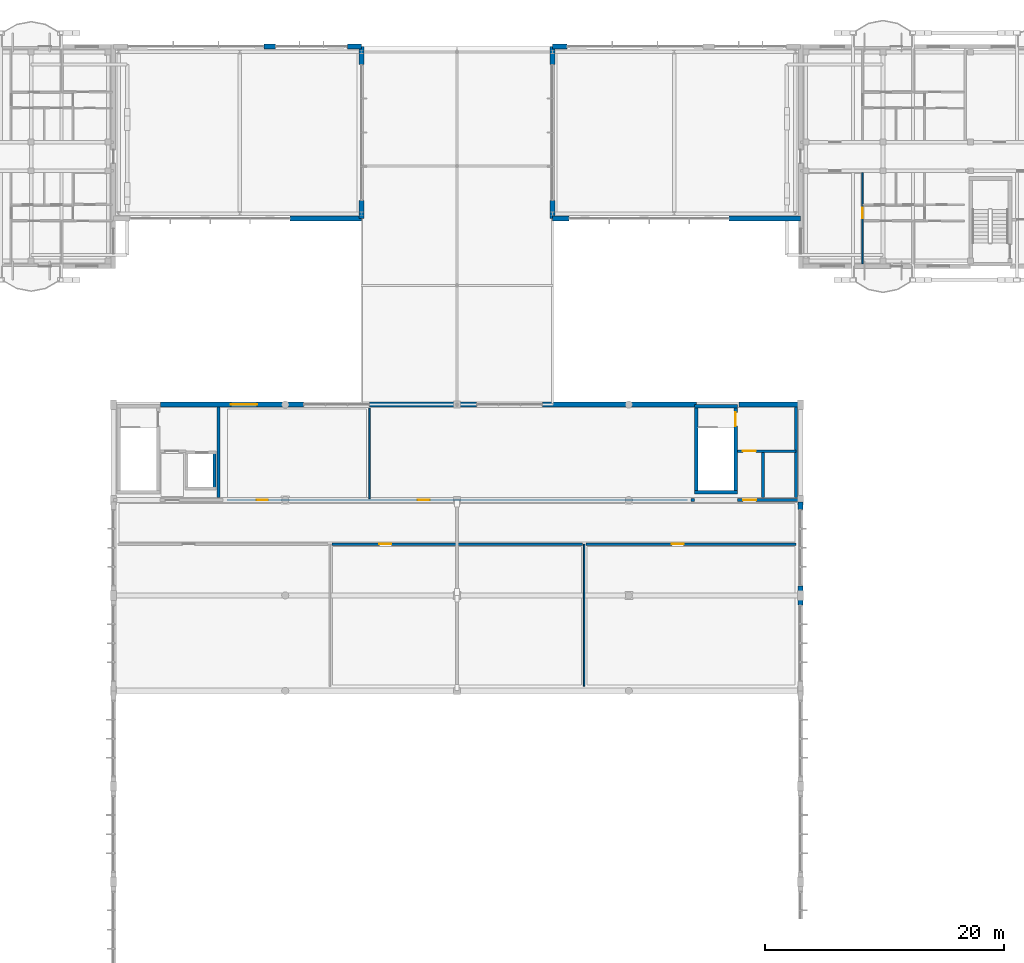
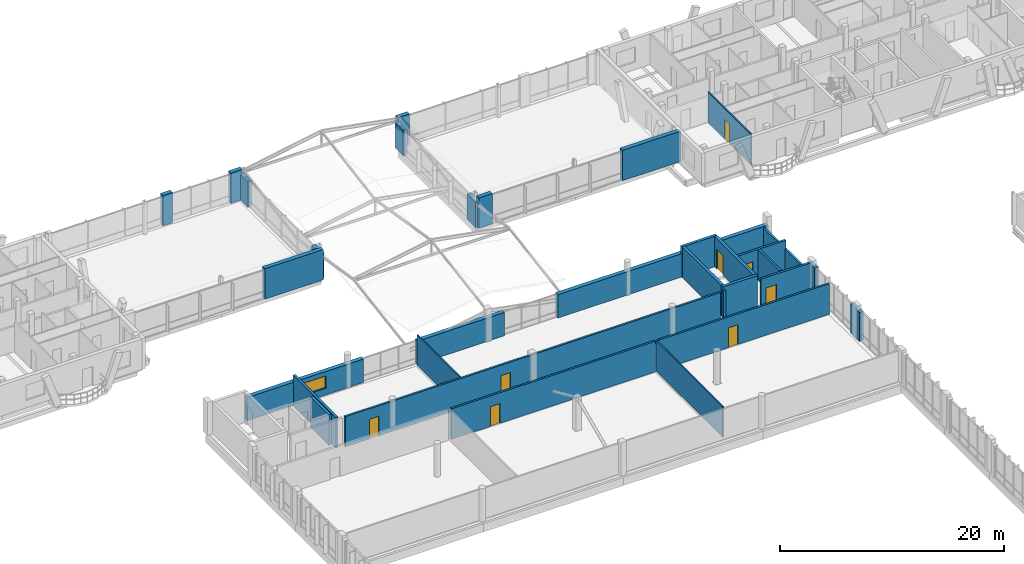
# One storey, part 156 of 189: 33 walls, 8 doors, 1 window, 9 openings.
"""IFC4 building model written with IfcOpenShell, lengths in metres."""

from ifc_helpers import new_model, si_unit, direction, frame, frame_2d, origin, origin_with_axes, place, context, subcontext, project, spatial, rectangle, extrude, material, layer, layer_set, type_object, element, fill, save


model = new_model("IFC4")

# Units and contexts
model_context = context("Model", 3, precision=1e-05, world=origin(), true_north=direction((0.0, 1.0)))
body_context = subcontext(model_context, "Body", "Model", "MODEL_VIEW")
ifc_project = project(units=[si_unit("LENGTHUNIT", "METRE"), si_unit("AREAUNIT", "SQUARE_METRE"), si_unit("VOLUMEUNIT", "CUBIC_METRE"), si_unit("PLANEANGLEUNIT", "RADIAN"), si_unit("MASSUNIT", "GRAM", prefix="KILO")], contexts=[model_context])

# Site, building, storey
site_placement = place(None, origin())
site = spatial("IfcSite", under=ifc_project, at=site_placement, CompositionType="ELEMENT")
building_placement = place(site_placement, origin())
building = spatial("IfcBuilding", under=site, at=building_placement, Name="Zavelmont Quarter", CompositionType="ELEMENT")
storey_placement = place(building_placement, frame((0.0, 0.0, 4.39990234375)))
storey = spatial("IfcBuildingStorey", under=building, at=storey_placement, Name="L01", CompositionType="ELEMENT", Elevation=4.39990234375)

# Walls
ifc_material_1 = material(Name="Natural Belgian limestone", Category="masonry")
ifc_layer_1 = layer(ifc_material_1, 0.419921875)
ifc_layer_set_1 = layer_set([ifc_layer_1], Name="Natural Belgian limestone")
wall_type_1 = type_object("IfcWallType", Name="EW04", PredefinedType="STANDARD", material=ifc_layer_set_1)
wall_1_placement = place(storey_placement, frame((112.800048828125, 69.199951171875, 0.0), z_axis=(0.0, 0.0, 1.0), x_axis=(0.0, 1.0, 0.0)))
element("IfcWall", 1, at=wall_1_placement, inside=storey, type_object=wall_type_1, Name="L01 exterior limestone wall EW04", PredefinedType="STANDARD", context=body_context, shape_type="SweptSolid", body=[
    extrude(rectangle(XDim=1.60009765625, YDim=0.419921875, at=frame_2d((0.800048828125, 0.0))), origin(), (0.0, 0.0, 1.0), 3.14501953125),
])
wall_2_placement = place(storey_placement, frame((112.800048828125, 77.199951171875, 0.0), z_axis=(0.0, 0.0, 1.0), x_axis=(0.0, 1.0, 0.0)))
element("IfcWall", 2, at=wall_2_placement, inside=storey, type_object=wall_type_1, Name="L01 exterior limestone wall EW04", PredefinedType="STANDARD", context=body_context, shape_type="SweptSolid", body=[
    extrude(rectangle(XDim=0.650146484375, YDim=0.419921875, at=frame_2d((0.3251953125, 0.0))), origin(), (0.0, 0.0, 1.0), 3.14501953125),
])

# Wall, opening, window
wall_3_placement = place(storey_placement, frame((59.14990234375, 86.0, 0.0), z_axis=(0.0, 0.0, 1.0), x_axis=(1.0, 0.0, 0.0)))
wall_3 = element("IfcWall", 3, at=wall_3_placement, inside=storey, type_object=wall_type_1, Name="L01 exterior limestone wall EW04", PredefinedType="STANDARD", context=body_context, shape_type="SweptSolid", body=[
    extrude(rectangle(XDim=12.0, YDim=0.419921875, at=frame_2d((6.0, 0.0))), origin(), (0.0, 0.0, 1.0), 2.545166015625),
])
opening_1_placement = place(wall_3_placement, frame((5.89990234375, 0.0, 0.719970703125)))
opening_1 = element("IfcOpeningElement", 4, at=opening_1_placement, cuts=wall_3, Name="Opening WN17", PredefinedType="OPENING", context=body_context, shape_type="SweptSolid", body=[
    extrude(rectangle(XDim=2.199951171875, YDim=1.35009765625, at=frame_2d((1.10009765625, 0.675048828125))), frame((0.0, 0.221923828125, 0.0), z_axis=(0.0, -1.0, 0.0), x_axis=(1.0, 0.0, 0.0)), (0.0, 0.0, 1.0), 0.44384765625),
])
ifc_material_2 = material(Name="Double low-E insulated glazing in thermally broken aluminium frame", Category="aluminium")
window_type = type_object("IfcWindowType", Name="WN17", PartitioningType="SINGLE_PANEL", PredefinedType="WINDOW", material=ifc_material_2)
window_placement = place(opening_1_placement, origin_with_axes())
window = element("IfcWindow", 5, at=window_placement, inside=storey, type_object=window_type, Name="L01 window WN17", OverallHeight=1.35009765625, OverallWidth=2.199951171875, PartitioningType="SINGLE_PANEL", PredefinedType="WINDOW", context=body_context, shape_type="SweptSolid", body=[
    extrude(rectangle(XDim=2.199951171875, YDim=1.35009765625, at=frame_2d((1.10009765625, 0.675048828125))), frame((0.0, 0.030029296875, 0.0), z_axis=(0.0, -1.0, 0.0), x_axis=(1.0, 0.0, 0.0)), (0.0, 0.0, 1.0), 0.06005859375),
])
fill(opening_1, window)

# Walls
wall_4_placement = place(storey_placement, frame((76.64990234375, 86.0, 0.0), z_axis=(0.0, 0.0, 1.0), x_axis=(1.0, 0.0, 0.0)))
element("IfcWall", 6, at=wall_4_placement, inside=storey, type_object=wall_type_1, Name="L01 exterior limestone wall EW04", PredefinedType="STANDARD", context=body_context, shape_type="SweptSolid", body=[
    extrude(rectangle(XDim=9.0, YDim=0.419921875, at=frame_2d((4.5, 0.0))), origin(), (0.0, 0.0, 1.0), 2.545166015625),
])
wall_5_placement = place(storey_placement, frame((91.14990234375, 86.0, 0.0), z_axis=(0.0, 0.0, 1.0), x_axis=(1.0, 0.0, 0.0)))
element("IfcWall", 7, at=wall_5_placement, inside=storey, type_object=wall_type_1, Name="L01 exterior limestone wall EW04", PredefinedType="STANDARD", context=body_context, shape_type="SweptSolid", body=[
    extrude(rectangle(XDim=12.900146484375, YDim=0.419921875, at=frame_2d((6.4501953125, 0.0))), origin(), (0.0, 0.0, 1.0), 2.545166015625),
])
wall_6_placement = place(storey_placement, frame((107.64990234375, 86.0, 0.0), z_axis=(0.0, 0.0, 1.0), x_axis=(1.0, 0.0, 0.0)))
element("IfcWall", 8, at=wall_6_placement, inside=storey, type_object=wall_type_1, Name="L01 exterior limestone wall EW04", PredefinedType="STANDARD", context=body_context, shape_type="SweptSolid", body=[
    extrude(rectangle(XDim=5.150146484375, YDim=0.419921875, at=frame_2d((2.5751953125, 0.0))), origin(), (0.0, 0.0, 1.0), 2.545166015625),
])
wall_7_placement = place(storey_placement, frame((67.800048828125, 116.0, 0.0), z_axis=(0.0, 0.0, 1.0), x_axis=(1.0, 0.0, 0.0)))
element("IfcWall", 9, at=wall_7_placement, inside=storey, type_object=wall_type_1, Name="L01 exterior limestone wall EW04", PredefinedType="STANDARD", context=body_context, shape_type="SweptSolid", body=[
    extrude(rectangle(XDim=1.0, YDim=0.419921875, at=frame_2d((0.5, 0.0))), origin(), (0.0, 0.0, 1.0), 3.31005859375),
])
wall_8_placement = place(storey_placement, frame((74.800048828125, 116.0, 0.0), z_axis=(0.0, 0.0, 1.0), x_axis=(1.0, 0.0, 0.0)))
element("IfcWall", 10, at=wall_8_placement, inside=storey, type_object=wall_type_1, Name="L01 exterior limestone wall EW04", PredefinedType="STANDARD", context=body_context, shape_type="SweptSolid", body=[
    extrude(rectangle(XDim=1.199951171875, YDim=0.419921875, at=frame_2d((0.60009765625, 0.0))), origin(), (0.0, 0.0, 1.0), 3.31005859375),
])
wall_9_placement = place(storey_placement, frame((70.0, 101.60009765625, 0.0), z_axis=(0.0, 0.0, 1.0), x_axis=(1.0, 0.0, 0.0)))
element("IfcWall", 11, at=wall_9_placement, inside=storey, type_object=wall_type_1, Name="L01 exterior limestone wall EW04", PredefinedType="STANDARD", context=body_context, shape_type="SweptSolid", body=[
    extrude(rectangle(XDim=6.0, YDim=0.419921875, at=frame_2d((3.0, 0.0))), origin(), (0.0, 0.0, 1.0), 3.31005859375),
])
for number, where, z_axis, x_axis, name in (
    (12, (76.0, 101.60009765625, 0.0), (0.0, 0.0, 1.0), (0.0, 1.0, 0.0), "L01 exterior limestone wall EW04"),
    (13, (76.0, 114.5, 0.0), (0.0, 0.0, 1.0), (0.0, 1.0, 0.0), "L01 exterior limestone wall EW04"),
):
    element("IfcWall", number, at=place(storey_placement, frame(where, z_axis=z_axis, x_axis=x_axis)), inside=storey, type_object=wall_type_1, Name=name, PredefinedType="STANDARD", context=body_context, shape_type="SweptSolid", body=[
        extrude(rectangle(XDim=1.5, YDim=0.419921875, at=frame_2d((0.75, 0.0))), origin(), (0.0, 0.0, 1.0), 2.800048828125),
    ])
wall_10_placement = place(storey_placement, frame((92.0, 116.0, 0.0), z_axis=(0.0, 0.0, 1.0), x_axis=(1.0, 0.0, 0.0)))
element("IfcWall", 14, at=wall_10_placement, inside=storey, type_object=wall_type_1, Name="L01 exterior limestone wall EW04", PredefinedType="STANDARD", context=body_context, shape_type="SweptSolid", body=[
    extrude(rectangle(XDim=1.199951171875, YDim=0.419921875, at=frame_2d((0.60009765625, 0.0))), origin(), (0.0, 0.0, 1.0), 3.31005859375),
])
wall_11_placement = place(storey_placement, frame((92.0, 101.60009765625, 0.0), z_axis=(0.0, 0.0, 1.0), x_axis=(1.0, 0.0, 0.0)))
element("IfcWall", 15, at=wall_11_placement, inside=storey, type_object=wall_type_1, Name="L01 exterior limestone wall EW04", PredefinedType="STANDARD", context=body_context, shape_type="SweptSolid", body=[
    extrude(rectangle(XDim=1.39990234375, YDim=0.419921875, at=frame_2d((0.699951171875, 0.0))), origin(), (0.0, 0.0, 1.0), 3.31005859375),
])
wall_12_placement = place(storey_placement, frame((106.800048828125, 101.60009765625, 0.0), z_axis=(0.0, 0.0, 1.0), x_axis=(1.0, 0.0, 0.0)))
element("IfcWall", 16, at=wall_12_placement, inside=storey, type_object=wall_type_1, Name="L01 exterior limestone wall EW04", PredefinedType="STANDARD", context=body_context, shape_type="SweptSolid", body=[
    extrude(rectangle(XDim=6.0, YDim=0.419921875, at=frame_2d((3.0, 0.0))), origin(), (0.0, 0.0, 1.0), 3.31005859375),
])
for number, where, z_axis, x_axis, name in (
    (17, (92.0, 101.60009765625, 0.0), (0.0, 0.0, 1.0), (0.0, 1.0, 0.0), "L01 exterior limestone wall EW04"),
    (18, (92.0, 114.5, 0.0), (0.0, 0.0, 1.0), (0.0, 1.0, 0.0), "L01 exterior limestone wall EW04"),
):
    element("IfcWall", number, at=place(storey_placement, frame(where, z_axis=z_axis, x_axis=x_axis)), inside=storey, type_object=wall_type_1, Name=name, PredefinedType="STANDARD", context=body_context, shape_type="SweptSolid", body=[
        extrude(rectangle(XDim=1.5, YDim=0.419921875, at=frame_2d((0.75, 0.0))), origin(), (0.0, 0.0, 1.0), 2.800048828125),
    ])

# Wall, opening, door
ifc_material_3 = material(Name="Calcium-silicate blockwork and acoustic plaster", Category="masonry")
ifc_layer_2 = layer(ifc_material_3, 0.199951171875)
ifc_layer_set_2 = layer_set([ifc_layer_2], Name="Calcium-silicate blockwork and acoustic plaster")
wall_type_2 = type_object("IfcWallType", Name="IW01", PredefinedType="PARTITIONING", material=ifc_layer_set_2)
wall_13_placement = place(storey_placement, frame((73.5, 74.300048828125, 0.0), z_axis=(0.0, 0.0, 1.0), x_axis=(1.0, 0.0, 0.0)))
wall_13 = element("IfcWall", 19, at=wall_13_placement, inside=storey, type_object=wall_type_2, Name="L01 Interior partition IW01", PredefinedType="PARTITIONING", context=body_context, shape_type="SweptSolid", body=[
    extrude(rectangle(XDim=21.0, YDim=0.199951171875, at=frame_2d((10.5, 0.0))), origin(), (0.0, 0.0, 1.0), 3.330078125),
])
opening_2_placement = place(wall_13_placement, frame((4.0, 0.0, 0.0)))
opening_2 = element("IfcOpeningElement", 20, at=opening_2_placement, cuts=wall_13, Name="Opening DR07", PredefinedType="OPENING", context=body_context, shape_type="SweptSolid", body=[
    extrude(rectangle(XDim=1.0, YDim=2.14990234375, at=frame_2d((0.5, 1.074951171875))), frame((0.0, 0.11181640625, 0.0), z_axis=(0.0, -1.0, 0.0), x_axis=(1.0, 0.0, 0.0)), (0.0, 0.0, 1.0), 0.223876953125),
])
ifc_material_4 = material(Name="Solid-core oak fire leaf in steel frame", Category="steel")
door_type_1 = type_object("IfcDoorType", Name="DR07", OperationType="NOTDEFINED", PredefinedType="DOOR", material=ifc_material_4)
door_1_placement = place(opening_2_placement, frame((1.0, 0.0, 0.0), z_axis=(0.0, 0.0, 1.0), x_axis=(-1.0, 0.0, 0.0)))
door_1 = element("IfcDoor", 21, at=door_1_placement, inside=storey, type_object=door_type_1, Name="L01 door DR07", OperationType="SINGLE_SWING_LEFT", OverallHeight=2.14990234375, OverallWidth=1.0, PredefinedType="DOOR", context=body_context, shape_type="SweptSolid", body=[
    extrude(rectangle(XDim=1.0, YDim=2.14990234375, at=frame_2d((0.5, 1.074951171875))), frame((0.0, 0.02490234375, 0.0), z_axis=(0.0, -1.0, 0.0), x_axis=(1.0, 0.0, 0.0)), (0.0, 0.0, 1.0), 0.050048828125),
])
fill(opening_2, door_1)

wall_14_placement = place(storey_placement, frame((94.800048828125, 74.300048828125, 0.0), z_axis=(0.0, 0.0, 1.0), x_axis=(1.0, 0.0, 0.0)))
wall_14 = element("IfcWall", 22, at=wall_14_placement, inside=storey, type_object=wall_type_2, Name="L01 Interior partition IW01", PredefinedType="PARTITIONING", context=body_context, shape_type="SweptSolid", body=[
    extrude(rectangle(XDim=17.599853515625, YDim=0.199951171875, at=frame_2d((8.7998046875, 0.0))), origin(), (0.0, 0.0, 1.0), 3.330078125),
])
opening_3_placement = place(wall_14_placement, frame((7.199951171875, 0.0, 0.0)))
opening_3 = element("IfcOpeningElement", 23, at=opening_3_placement, cuts=wall_14, Name="Opening DR07", PredefinedType="OPENING", context=body_context, shape_type="SweptSolid", body=[
    extrude(rectangle(XDim=1.0, YDim=2.14990234375, at=frame_2d((0.5, 1.074951171875))), frame((0.0, 0.11181640625, 0.0), z_axis=(0.0, -1.0, 0.0), x_axis=(1.0, 0.0, 0.0)), (0.0, 0.0, 1.0), 0.223876953125),
])
door_2_placement = place(opening_3_placement, origin_with_axes())
door_2 = element("IfcDoor", 24, at=door_2_placement, inside=storey, type_object=door_type_1, Name="L01 door DR07", OperationType="SINGLE_SWING_LEFT", OverallHeight=2.14990234375, OverallWidth=1.0, PredefinedType="DOOR", context=body_context, shape_type="SweptSolid", body=[
    extrude(rectangle(XDim=1.0, YDim=2.14990234375, at=frame_2d((0.5, 1.074951171875))), frame((0.0, 0.02490234375, 0.0), z_axis=(0.0, -1.0, 0.0), x_axis=(1.0, 0.0, 0.0)), (0.0, 0.0, 1.0), 0.050048828125),
])
fill(opening_3, door_2)

# Wall, openings, doors
wall_15_placement = place(storey_placement, frame((64.699951171875, 78.0, 0.0), z_axis=(0.0, 0.0, 1.0), x_axis=(1.0, 0.0, 0.0)))
wall_15 = element("IfcWall", 25, at=wall_15_placement, inside=storey, type_object=wall_type_2, Name="L01 Interior partition IW01", PredefinedType="PARTITIONING", context=body_context, shape_type="SweptSolid", body=[
    extrude(rectangle(XDim=38.60009765625, YDim=0.199951171875, at=frame_2d((19.300048828125, 0.0))), origin(), (0.0, 0.0, 1.0), 3.295166015625),
])
opening_4_placement = place(wall_15_placement, frame((2.5, 0.0, 0.0)))
opening_4 = element("IfcOpeningElement", 26, at=opening_4_placement, cuts=wall_15, Name="Opening DR02", PredefinedType="OPENING", context=body_context, shape_type="SweptSolid", body=[
    extrude(rectangle(XDim=0.949951171875, YDim=2.14990234375, at=frame_2d((0.47509765625, 1.074951171875))), frame((0.0, 0.11181640625, 0.0), z_axis=(0.0, -1.0, 0.0), x_axis=(1.0, 0.0, 0.0)), (0.0, 0.0, 1.0), 0.223876953125),
])
opening_5_placement = place(wall_15_placement, frame((16.0, 0.0, 0.0)))
opening_5 = element("IfcOpeningElement", 27, at=opening_5_placement, cuts=wall_15, Name="Opening DR07", PredefinedType="OPENING", context=body_context, shape_type="SweptSolid", body=[
    extrude(rectangle(XDim=1.0, YDim=2.14990234375, at=frame_2d((0.5, 1.074951171875))), frame((0.0, 0.11181640625, 0.0), z_axis=(0.0, -1.0, 0.0), x_axis=(1.0, 0.0, 0.0)), (0.0, 0.0, 1.0), 0.223876953125),
])
door_type_2 = type_object("IfcDoorType", Name="DR02", OperationType="NOTDEFINED", PredefinedType="DOOR", material=ifc_material_4)
door_3_placement = place(opening_4_placement, frame((0.949951171875, 0.0, 0.0), z_axis=(0.0, 0.0, 1.0), x_axis=(-1.0, 0.0, 0.0)))
door_3 = element("IfcDoor", 28, at=door_3_placement, inside=storey, type_object=door_type_2, Name="L01 door DR02", OperationType="SINGLE_SWING_LEFT", OverallHeight=2.14990234375, OverallWidth=0.949951171875, PredefinedType="DOOR", context=body_context, shape_type="SweptSolid", body=[
    extrude(rectangle(XDim=0.949951171875, YDim=2.14990234375, at=frame_2d((0.47509765625, 1.074951171875))), frame((0.0, 0.02490234375, 0.0), z_axis=(0.0, -1.0, 0.0), x_axis=(1.0, 0.0, 0.0)), (0.0, 0.0, 1.0), 0.050048828125),
])
fill(opening_4, door_3)
door_4_placement = place(opening_5_placement, origin_with_axes())
door_4 = element("IfcDoor", 29, at=door_4_placement, inside=storey, type_object=door_type_1, Name="L01 door DR07", OperationType="SINGLE_SWING_RIGHT", OverallHeight=2.14990234375, OverallWidth=1.0, PredefinedType="DOOR", context=body_context, shape_type="SweptSolid", body=[
    extrude(rectangle(XDim=1.0, YDim=2.14990234375, at=frame_2d((0.5, 1.074951171875))), frame((0.0, 0.02490234375, 0.0), z_axis=(0.0, -1.0, 0.0), x_axis=(1.0, 0.0, 0.0)), (0.0, 0.0, 1.0), 0.050048828125),
])
fill(opening_5, door_4)

# Walls
ifc_material_5 = material(Name="Reinforced masonry fire compartment wall", Category="masonry")
ifc_layer_3 = layer(ifc_material_5, 0.22509765625)
ifc_layer_set_3 = layer_set([ifc_layer_3], Name="Reinforced masonry fire compartment wall")
wall_type_3 = type_object("IfcWallType", Name="IW02", PredefinedType="PARTITIONING", material=ifc_layer_set_3)
wall_16_placement = place(storey_placement, frame((64.010009765625, 78.199951171875, 0.0), z_axis=(0.0, 0.0, 1.0), x_axis=(0.0, 1.0, 0.0)))
element("IfcWall", 30, at=wall_16_placement, inside=storey, type_object=wall_type_3, Name="L01 Firefighting lobby enclosure wall IW02", PredefinedType="PARTITIONING", context=body_context, shape_type="SweptSolid", body=[
    extrude(rectangle(XDim=7.60009765625, YDim=0.22509765625, at=frame_2d((3.800048828125, 0.0))), origin(), (0.0, 0.0, 1.0), 3.330078125),
])
wall_17_placement = place(storey_placement, frame((112.409912109375, 78.199951171875, 0.0), z_axis=(0.0, 0.0, 1.0), x_axis=(0.0, 1.0, 0.0)))
element("IfcWall", 31, at=wall_17_placement, inside=storey, type_object=wall_type_3, Name="L01 Firefighting lobby enclosure wall IW02", PredefinedType="PARTITIONING", context=body_context, shape_type="SweptSolid", body=[
    extrude(rectangle(XDim=7.60009765625, YDim=0.22509765625, at=frame_2d((3.800048828125, 0.0))), origin(), (0.0, 0.0, 1.0), 2.39501953125),
])
wall_18_placement = place(storey_placement, frame((109.64990234375, 78.199951171875, 0.0), z_axis=(0.0, 0.0, 1.0), x_axis=(0.0, 1.0, 0.0)))
element("IfcWall", 32, at=wall_18_placement, inside=storey, type_object=wall_type_3, Name="L01 Vestibule side wall IW02", PredefinedType="PARTITIONING", context=body_context, shape_type="SweptSolid", body=[
    extrude(rectangle(XDim=3.800048828125, YDim=0.22509765625, at=frame_2d((1.89990234375, 0.0))), origin(), (0.0, 0.0, 1.0), 3.330078125),
])

# Wall, opening, door
wall_19_placement = place(storey_placement, frame((107.5, 82.10009765625, 0.0), z_axis=(0.0, 0.0, 1.0), x_axis=(1.0, 0.0, 0.0)))
wall_19 = element("IfcWall", 33, at=wall_19_placement, inside=storey, type_object=wall_type_3, Name="L01 Firefighting lobby threshold wall IW02", PredefinedType="PARTITIONING", context=body_context, shape_type="SweptSolid", body=[
    extrude(rectangle(XDim=4.909912109375, YDim=0.22509765625, at=frame_2d((2.455078125, 0.0))), origin(), (0.0, 0.0, 1.0), 3.330078125),
])
opening_6_placement = place(wall_19_placement, frame((0.449951171875, 0.0, 0.0)))
opening_6 = element("IfcOpeningElement", 34, at=opening_6_placement, cuts=wall_19, Name="Opening DR10", PredefinedType="OPENING", context=body_context, shape_type="SweptSolid", body=[
    extrude(rectangle(XDim=1.10009765625, YDim=2.14990234375, at=frame_2d((0.550048828125, 1.074951171875))), frame((0.0, 0.12451171875, 0.0), z_axis=(0.0, -1.0, 0.0), x_axis=(1.0, 0.0, 0.0)), (0.0, 0.0, 1.0), 0.2490234375),
])
ifc_material_6 = material(Name="Painted steel lobby fire door", Category="steel")
door_type_3 = type_object("IfcDoorType", Name="DR10", OperationType="NOTDEFINED", PredefinedType="DOOR", material=ifc_material_6)
door_5_placement = place(opening_6_placement, origin_with_axes())
door_5 = element("IfcDoor", 35, at=door_5_placement, inside=storey, type_object=door_type_3, Name="Firefighting lobby fire door", OperationType="SINGLE_SWING_RIGHT", OverallHeight=2.14990234375, OverallWidth=1.10009765625, PredefinedType="DOOR", context=body_context, shape_type="SweptSolid", body=[
    extrude(rectangle(XDim=1.10009765625, YDim=2.14990234375, at=frame_2d((0.550048828125, 1.074951171875))), frame((0.0, 0.02490234375, 0.0), z_axis=(0.0, -1.0, 0.0), x_axis=(1.0, 0.0, 0.0)), (0.0, 0.0, 1.0), 0.050048828125),
])
fill(opening_6, door_5)

# Wall
wall_20_placement = place(storey_placement, frame((103.60009765625, 78.0, 0.0), z_axis=(0.0, 0.0, 1.0), x_axis=(1.0, 0.0, 0.0)))
element("IfcWall", 36, at=wall_20_placement, inside=storey, type_object=wall_type_3, Name="L01 Core corridor wall IW02", PredefinedType="PARTITIONING", context=body_context, shape_type="SweptSolid", body=[
    extrude(rectangle(XDim=0.2998046875, YDim=0.22509765625, at=frame_2d((0.14990234375, 0.0))), origin(), (0.0, 0.0, 1.0), 3.330078125),
])

# Wall, opening, door
wall_21_placement = place(storey_placement, frame((107.5, 78.0, 0.0), z_axis=(0.0, 0.0, 1.0), x_axis=(1.0, 0.0, 0.0)))
wall_21 = element("IfcWall", 37, at=wall_21_placement, inside=storey, type_object=wall_type_3, Name="L01 Core corridor fire wall IW02", PredefinedType="PARTITIONING", context=body_context, shape_type="SweptSolid", body=[
    extrude(rectangle(XDim=5.300048828125, YDim=0.22509765625, at=frame_2d((2.64990234375, 0.0))), origin(), (0.0, 0.0, 1.0), 3.295166015625),
])
opening_7_placement = place(wall_21_placement, frame((0.47509765625, 0.0, 0.0)))
opening_7 = element("IfcOpeningElement", 38, at=opening_7_placement, cuts=wall_21, Name="Opening DR10", PredefinedType="OPENING", context=body_context, shape_type="SweptSolid", body=[
    extrude(rectangle(XDim=1.10009765625, YDim=2.14990234375, at=frame_2d((0.550048828125, 1.074951171875))), frame((0.0, 0.12451171875, 0.0), z_axis=(0.0, -1.0, 0.0), x_axis=(1.0, 0.0, 0.0)), (0.0, 0.0, 1.0), 0.2490234375),
])
door_6_placement = place(opening_7_placement, origin_with_axes())
door_6 = element("IfcDoor", 39, at=door_6_placement, inside=storey, type_object=door_type_3, Name="Core vestibule fire door", OperationType="SINGLE_SWING_LEFT", OverallHeight=2.14990234375, OverallWidth=1.10009765625, PredefinedType="DOOR", context=body_context, shape_type="SweptSolid", body=[
    extrude(rectangle(XDim=1.10009765625, YDim=2.14990234375, at=frame_2d((0.550048828125, 1.074951171875))), frame((0.0, 0.02490234375, 0.0), z_axis=(0.0, -1.0, 0.0), x_axis=(1.0, 0.0, 0.0)), (0.0, 0.0, 1.0), 0.050048828125),
])
fill(opening_7, door_6)

# Walls
ifc_material_7 = material(Name="Double gypsum board on acoustic steel stud", Category="steel")
ifc_layer_4 = layer(ifc_material_7, 0.125)
ifc_layer_set_4 = layer_set([ifc_layer_4], Name="Double gypsum board on acoustic steel stud")
wall_type_4 = type_object("IfcWallType", Name="IW03", PredefinedType="PARTITIONING", material=ifc_layer_set_4)
wall_22_placement = place(storey_placement, frame((94.64990234375, 62.39990234375, 0.0), z_axis=(0.0, 0.0, 1.0), x_axis=(0.0, 1.0, 0.0)))
element("IfcWall", 40, at=wall_22_placement, inside=storey, type_object=wall_type_4, Name="L01 Interior partition IW03", PredefinedType="PARTITIONING", context=body_context, shape_type="SweptSolid", body=[
    extrude(rectangle(XDim=11.900146484375, YDim=0.125, at=frame_2d((5.9501953125, 0.0))), origin(), (0.0, 0.0, 1.0), 3.330078125),
])
wall_23_placement = place(storey_placement, frame((76.64990234375, 78.10009765625, 0.0), z_axis=(0.0, 0.0, 1.0), x_axis=(0.0, 1.0, 0.0)))
element("IfcWall", 41, at=wall_23_placement, inside=storey, type_object=wall_type_4, Name="L01 Interior partition IW03", PredefinedType="PARTITIONING", context=body_context, shape_type="SweptSolid", body=[
    extrude(rectangle(XDim=7.599853515625, YDim=0.125, at=frame_2d((3.7998046875, 0.0))), origin(), (0.0, 0.0, 1.0), 3.330078125),
])

# Wall, opening, door
wall_24_placement = place(storey_placement, frame((118.0, 105.449951171875, 0.0), z_axis=(0.0, 0.0, 1.0), x_axis=(0.0, -1.0, 0.0)))
wall_24 = element("IfcWall", 42, at=wall_24_placement, inside=storey, type_object=wall_type_4, Name="L01 Partition IW03", PredefinedType="PARTITIONING", context=body_context, shape_type="SweptSolid", body=[
    extrude(rectangle(XDim=7.64990234375, YDim=0.125, at=frame_2d((3.824951171875, 0.0))), origin(), (0.0, 0.0, 1.0), 3.330078125),
])
opening_8_placement = place(wall_24_placement, frame((2.949951171875, 0.0, 0.0)))
opening_8 = element("IfcOpeningElement", 43, at=opening_8_placement, cuts=wall_24, Name="Opening DR05", PredefinedType="OPENING", context=body_context, shape_type="SweptSolid", body=[
    extrude(rectangle(XDim=0.89990234375, YDim=2.10009765625, at=frame_2d((0.449951171875, 1.050048828125))), frame((0.0, 0.074462890625, 0.0), z_axis=(0.0, -1.0, 0.0), x_axis=(1.0, 0.0, 0.0)), (0.0, 0.0, 1.0), 0.14892578125),
])
ifc_material_8 = material(Name="Engineered oak flush interior door")
door_type_4 = type_object("IfcDoorType", Name="DR05", OperationType="NOTDEFINED", PredefinedType="DOOR", material=ifc_material_8)
door_7_placement = place(opening_8_placement, origin_with_axes())
door_7 = element("IfcDoor", 44, at=door_7_placement, inside=storey, type_object=door_type_4, Name="L01 door DR05", OperationType="SINGLE_SWING_LEFT", OverallHeight=2.10009765625, OverallWidth=0.89990234375, PredefinedType="DOOR", context=body_context, shape_type="SweptSolid", body=[
    extrude(rectangle(XDim=0.89990234375, YDim=2.10009765625, at=frame_2d((0.449951171875, 1.050048828125))), frame((0.0, 0.02490234375, 0.0), z_axis=(0.0, -1.0, 0.0), x_axis=(1.0, 0.0, 0.0)), (0.0, 0.0, 1.0), 0.050048828125),
])
fill(opening_8, door_7)

# Walls
ifc_material_9 = material(Name="Concrete C40/50", Category="concrete")
ifc_layer_5 = layer(ifc_material_9, 0.300048828125)
ifc_layer_set_5 = layer_set([ifc_layer_5], Name="Concrete C40/50")
wall_type_5 = type_object("IfcWallType", Name="SW01", PredefinedType="SHEAR", material=ifc_layer_set_5)
wall_25_placement = place(storey_placement, frame((103.89990234375, 78.64990234375, 0.0), z_axis=(0.0, 0.0, 1.0), x_axis=(1.0, 0.0, 0.0)))
element("IfcWall", 45, at=wall_25_placement, inside=storey, type_object=wall_type_5, Name="L01 ST10 corridor shear wall SW01", PredefinedType="SHEAR", context=body_context, shape_type="SweptSolid", body=[
    extrude(rectangle(XDim=3.60009765625, YDim=0.300048828125, at=frame_2d((1.800048828125, 0.0))), origin(), (0.0, 0.0, 1.0), 3.330078125),
])
wall_26_placement = place(storey_placement, frame((104.050048828125, 78.5, 0.0), z_axis=(0.0, 0.0, 1.0), x_axis=(0.0, 1.0, 0.0)))
element("IfcWall", 46, at=wall_26_placement, inside=storey, type_object=wall_type_5, Name="L01 ST10 west shear wall SW01", PredefinedType="SHEAR", context=body_context, shape_type="SweptSolid", body=[
    extrude(rectangle(XDim=7.5, YDim=0.300048828125, at=frame_2d((3.75, 0.0))), origin(), (0.0, 0.0, 1.0), 3.330078125),
])

# Wall, opening, door
wall_27_placement = place(storey_placement, frame((107.35009765625, 78.5, 0.0), z_axis=(0.0, 0.0, 1.0), x_axis=(0.0, 1.0, 0.0)))
wall_27 = element("IfcWall", 47, at=wall_27_placement, inside=storey, type_object=wall_type_5, Name="L01 ST10 lobby shear wall SW01", PredefinedType="SHEAR", context=body_context, shape_type="SweptSolid", body=[
    extrude(rectangle(XDim=7.5, YDim=0.300048828125, at=frame_2d((3.75, 0.0))), origin(), (0.0, 0.0, 1.0), 3.330078125),
])
opening_9_placement = place(wall_27_placement, frame((5.699951171875, 0.0, 0.0)))
opening_9 = element("IfcOpeningElement", 48, at=opening_9_placement, cuts=wall_27, Name="Opening DR09", PredefinedType="OPENING", context=body_context, shape_type="SweptSolid", body=[
    extrude(rectangle(XDim=1.14990234375, YDim=2.14990234375, at=frame_2d((0.574951171875, 1.074951171875))), frame((0.0, 0.162109375, 0.0), z_axis=(0.0, -1.0, 0.0), x_axis=(1.0, 0.0, 0.0)), (0.0, 0.0, 1.0), 0.323974609375),
])
ifc_material_10 = material(Name="Painted steel stair-core fire door", Category="steel")
door_type_5 = type_object("IfcDoorType", Name="DR09", OperationType="NOTDEFINED", PredefinedType="DOOR", material=ifc_material_10)
door_8_placement = place(opening_9_placement, origin_with_axes())
door_8 = element("IfcDoor", 49, at=door_8_placement, inside=storey, type_object=door_type_5, Name="ST10 protected stair door", OperationType="SINGLE_SWING_LEFT", OverallHeight=2.14990234375, OverallWidth=1.14990234375, PredefinedType="DOOR", context=body_context, shape_type="SweptSolid", body=[
    extrude(rectangle(XDim=1.14990234375, YDim=2.14990234375, at=frame_2d((0.574951171875, 1.074951171875))), frame((0.0, 0.02490234375, 0.0), z_axis=(0.0, -1.0, 0.0), x_axis=(1.0, 0.0, 0.0)), (0.0, 0.0, 1.0), 0.050048828125),
])
fill(opening_9, door_8)

# Walls
ifc_layer_6 = layer(ifc_material_9, 0.25)
ifc_layer_set_6 = layer_set([ifc_layer_6], Name="Concrete C40/50")
wall_type_6 = type_object("IfcWallType", Name="SW02", PredefinedType="SHEAR", material=ifc_layer_set_6)
wall_28_placement = place(storey_placement, frame((63.675048828125, 78.85009765625, 0.0), z_axis=(0.0, 0.0, 1.0), x_axis=(0.0, 1.0, 0.0)))
element("IfcWall", 50, at=wall_28_placement, inside=storey, type_object=wall_type_6, Name="L01 Lift LF09 east shaft wall SW02", PredefinedType="SHEAR", context=body_context, shape_type="SweptSolid", body=[
    extrude(rectangle(XDim=3.25, YDim=0.25, at=frame_2d((1.625, 0.0))), origin(), (0.0, 0.0, 1.0), 3.330078125),
])
ifc_layer_7 = layer(ifc_material_9, 0.300048828125)
ifc_layer_set_7 = layer_set([ifc_layer_7], Name="Concrete C40/50")
wall_type_7 = type_object("IfcWallType", Name="SW03", PredefinedType="SHEAR", material=ifc_layer_set_7)
wall_29_placement = place(storey_placement, frame((103.89990234375, 85.85009765625, 0.0), z_axis=(0.0, 0.0, 1.0), x_axis=(1.0, 0.0, 0.0)))
element("IfcWall", 51, at=wall_29_placement, inside=storey, type_object=wall_type_7, Name="L01 ST10 outer shear wall SW03", PredefinedType="SHEAR", context=body_context, shape_type="SweptSolid", body=[
    extrude(rectangle(XDim=3.60009765625, YDim=0.300048828125, at=frame_2d((1.800048828125, 0.0))), origin(), (0.0, 0.0, 1.0), 3.330078125),
])

save(model, "model.ifc")
